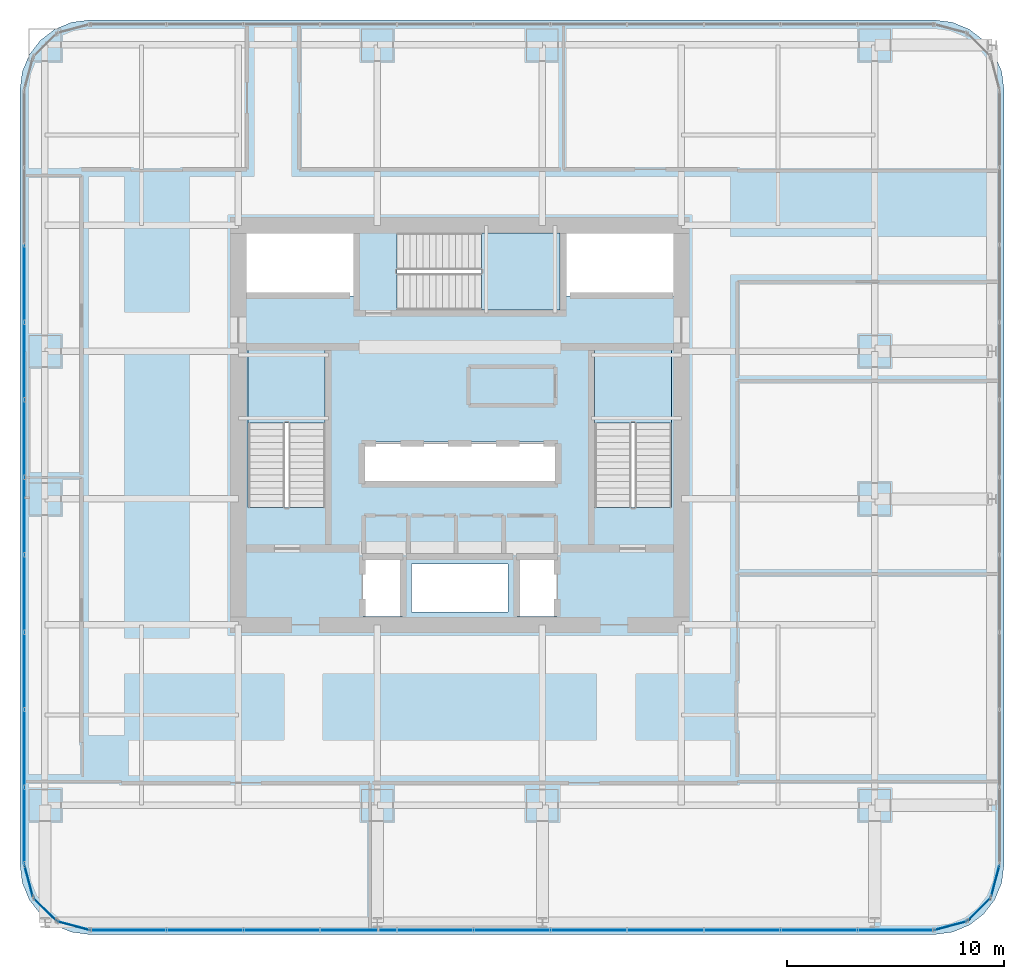
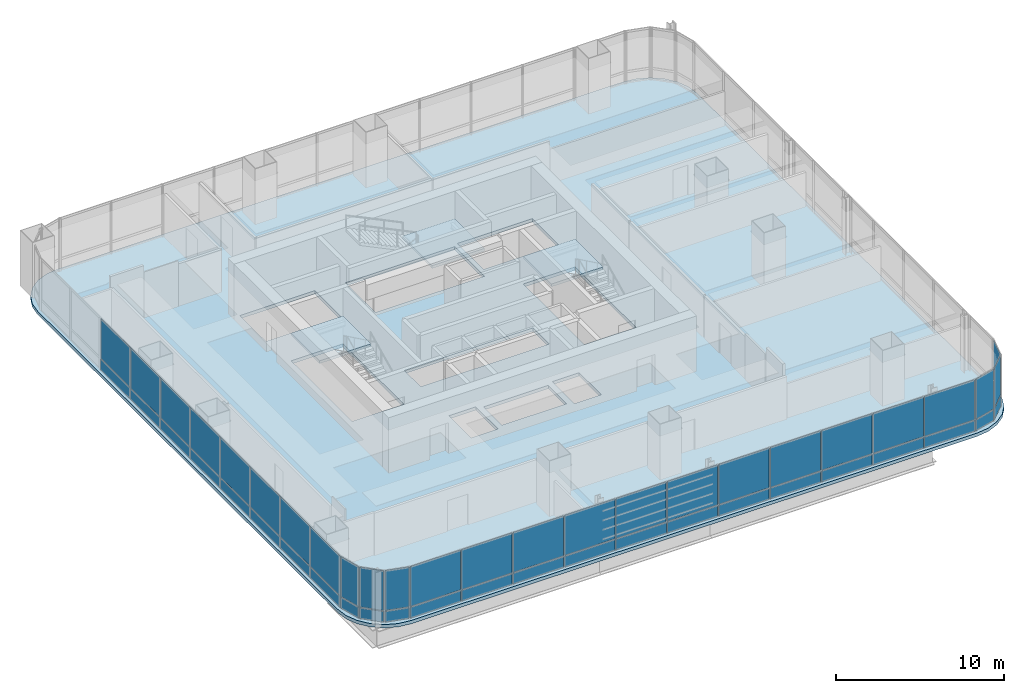
# One storey, part 25 of 35: 50 plates, 4 slabs, 11 elements without a shape of their own.
"""IFC4 building model written with IfcOpenShell, lengths in metres."""

from ifc_helpers import new_model, si_unit, direction, frame, origin, origin_2d, place, context, subcontext, project, spatial, polyline, rectangle, outline, extrude, material, layer, layer_set, type_object, element, aggregate, save


model = new_model("IFC4")

# Units and contexts
model_context = context("Model", 3, precision=1e-05, world=origin(), true_north=direction((0.0, 1.0)))
body_context = subcontext(model_context, "Body", "Model", "MODEL_VIEW")
ifc_project = project(units=[si_unit("LENGTHUNIT", "METRE"), si_unit("AREAUNIT", "SQUARE_METRE"), si_unit("VOLUMEUNIT", "CUBIC_METRE"), si_unit("PLANEANGLEUNIT", "RADIAN"), si_unit("MASSUNIT", "GRAM", prefix="KILO")], contexts=[model_context])

# Site, building, storey
site_placement = place(None, origin())
site = spatial("IfcSite", under=ifc_project, at=site_placement, CompositionType="ELEMENT")
building_placement = place(site_placement, origin())
building = spatial("IfcBuilding", under=site, at=building_placement, Name="Punatoya Terracotta Tower", CompositionType="ELEMENT")
storey_placement = place(building_placement, frame((0.0, 0.0, 64.64990234375)))
storey = spatial("IfcBuildingStorey", under=building, at=storey_placement, Name="L14", CompositionType="ELEMENT", Elevation=64.64990234375)

# Curtain wall, plates
ifc_material_1 = material(Name="Aluminium 6063-T6 + Double Low-E Glass", Category="aluminium")
curtain_wall_type = type_object("IfcCurtainWallType", Name="CW-M1", PredefinedType="NOTDEFINED", material=ifc_material_1)
curtain_wall_1_placement = place(storey_placement, origin())
curtain_wall_1 = element("IfcCurtainWall", 1, at=curtain_wall_1_placement, inside=storey, type_object=curtain_wall_type, Name="L14 Curtain Wall CW-L14-S01-1", PredefinedType="NOTDEFINED")
ifc_material_2 = material(Name="Double Low-E Clear Vision Glass", Category="glass")
ifc_layer_1 = layer(ifc_material_2, 0.028076171875)
ifc_layer_set_1 = layer_set([ifc_layer_1], Name="Double Low-E Clear Vision Glass")
plate_type_1 = type_object("IfcPlateType", Name="PLT-GLZ-28", PredefinedType="CURTAIN_PANEL", material=ifc_layer_set_1)
plate_1_placement = place(storey_placement, frame((-15.27001953125, -23.25, 0.89013671875), z_axis=(0.0, 0.0, 1.0), x_axis=(1.0, 0.0, 0.0)))
plate_1 = element("IfcPlate", 2, at=plate_1_placement, type_object=plate_type_1, Name="CW-L14-S01-1 Vision Glass Panel 1", PredefinedType="CURTAIN_PANEL", context=body_context, shape_type="SweptSolid", body=[
    extrude(rectangle(XDim=3.448974609375, YDim=0.028076171875, at=origin_2d()), origin(), (0.0, 0.0, 1.0), 2.8798828125),
])
plate_2_placement = place(storey_placement, frame((-11.73583984375, -23.25, 0.89013671875), z_axis=(0.0, 0.0, 1.0), x_axis=(1.0, 0.0, 0.0)))
plate_2 = element("IfcPlate", 3, at=plate_2_placement, type_object=plate_type_1, Name="CW-L14-S01-1 Vision Glass Panel 2", PredefinedType="CURTAIN_PANEL", context=body_context, shape_type="SweptSolid", body=[
    extrude(rectangle(XDim=3.448974609375, YDim=0.028076171875, at=origin_2d()), origin(), (0.0, 0.0, 1.0), 2.8798828125),
])
plate_3_placement = place(storey_placement, frame((-8.201904296875, -23.25, 0.89013671875), z_axis=(0.0, 0.0, 1.0), x_axis=(1.0, 0.0, 0.0)))
plate_3 = element("IfcPlate", 4, at=plate_3_placement, type_object=plate_type_1, Name="CW-L14-S01-1 Vision Glass Panel 3", PredefinedType="CURTAIN_PANEL", context=body_context, shape_type="SweptSolid", body=[
    extrude(rectangle(XDim=3.448974609375, YDim=0.028076171875, at=origin_2d()), origin(), (0.0, 0.0, 1.0), 2.8798828125),
])
plate_4_placement = place(storey_placement, frame((-4.66796875, -23.25, 0.89013671875), z_axis=(0.0, 0.0, 1.0), x_axis=(1.0, 0.0, 0.0)))
plate_4 = element("IfcPlate", 5, at=plate_4_placement, type_object=plate_type_1, Name="CW-L14-S01-1 Vision Glass Panel 4", PredefinedType="CURTAIN_PANEL", context=body_context, shape_type="SweptSolid", body=[
    extrude(rectangle(XDim=3.448974609375, YDim=0.028076171875, at=origin_2d()), origin(), (0.0, 0.0, 1.0), 2.8798828125),
])
plate_5_placement = place(storey_placement, frame((-1.134033203125, -23.25, 0.89013671875), z_axis=(0.0, 0.0, 1.0), x_axis=(1.0, 0.0, 0.0)))
plate_5 = element("IfcPlate", 6, at=plate_5_placement, type_object=plate_type_1, Name="CW-L14-S01-1 Vision Glass Panel 5", PredefinedType="CURTAIN_PANEL", context=body_context, shape_type="SweptSolid", body=[
    extrude(rectangle(XDim=3.448974609375, YDim=0.028076171875, at=origin_2d()), origin(), (0.0, 0.0, 1.0), 2.8798828125),
])
plate_6_placement = place(storey_placement, frame((2.39990234375, -23.25, 0.89013671875), z_axis=(0.0, 0.0, 1.0), x_axis=(1.0, 0.0, 0.0)))
plate_6 = element("IfcPlate", 7, at=plate_6_placement, type_object=plate_type_1, Name="CW-L14-S01-1 Vision Glass Panel 6", PredefinedType="CURTAIN_PANEL", context=body_context, shape_type="SweptSolid", body=[
    extrude(rectangle(XDim=3.448974609375, YDim=0.028076171875, at=origin_2d()), origin(), (0.0, 0.0, 1.0), 2.8798828125),
])
plate_7_placement = place(storey_placement, frame((5.93408203125, -23.25, 0.89013671875), z_axis=(0.0, 0.0, 1.0), x_axis=(1.0, 0.0, 0.0)))
plate_7 = element("IfcPlate", 8, at=plate_7_placement, type_object=plate_type_1, Name="CW-L14-S01-1 Vision Glass Panel 7", PredefinedType="CURTAIN_PANEL", context=body_context, shape_type="SweptSolid", body=[
    extrude(rectangle(XDim=3.448974609375, YDim=0.028076171875, at=origin_2d()), origin(), (0.0, 0.0, 1.0), 2.8798828125),
])
plate_8_placement = place(storey_placement, frame((9.468017578125, -23.25, 0.89013671875), z_axis=(0.0, 0.0, 1.0), x_axis=(1.0, 0.0, 0.0)))
plate_8 = element("IfcPlate", 9, at=plate_8_placement, type_object=plate_type_1, Name="CW-L14-S01-1 Vision Glass Panel 8", PredefinedType="CURTAIN_PANEL", context=body_context, shape_type="SweptSolid", body=[
    extrude(rectangle(XDim=3.448974609375, YDim=0.028076171875, at=origin_2d()), origin(), (0.0, 0.0, 1.0), 2.8798828125),
])
plate_9_placement = place(storey_placement, frame((13.001953125, -23.25, 0.89013671875), z_axis=(0.0, 0.0, 1.0), x_axis=(1.0, 0.0, 0.0)))
plate_9 = element("IfcPlate", 10, at=plate_9_placement, type_object=plate_type_1, Name="CW-L14-S01-1 Vision Glass Panel 9", PredefinedType="CURTAIN_PANEL", context=body_context, shape_type="SweptSolid", body=[
    extrude(rectangle(XDim=3.448974609375, YDim=0.028076171875, at=origin_2d()), origin(), (0.0, 0.0, 1.0), 2.8798828125),
])
plate_10_placement = place(storey_placement, frame((16.535888671875, -23.25, 0.89013671875), z_axis=(0.0, 0.0, 1.0), x_axis=(1.0, 0.0, 0.0)))
plate_10 = element("IfcPlate", 11, at=plate_10_placement, type_object=plate_type_1, Name="CW-L14-S01-1 Vision Glass Panel 10", PredefinedType="CURTAIN_PANEL", context=body_context, shape_type="SweptSolid", body=[
    extrude(rectangle(XDim=3.448974609375, YDim=0.028076171875, at=origin_2d()), origin(), (0.0, 0.0, 1.0), 2.8798828125),
])
plate_11_placement = place(storey_placement, frame((20.06982421875, -23.25, 0.89013671875), z_axis=(0.0, 0.0, 1.0), x_axis=(1.0, 0.0, 0.0)))
plate_11 = element("IfcPlate", 12, at=plate_11_placement, type_object=plate_type_1, Name="CW-L14-S01-1 Vision Glass Panel 11", PredefinedType="CURTAIN_PANEL", context=body_context, shape_type="SweptSolid", body=[
    extrude(rectangle(XDim=3.448974609375, YDim=0.028076171875, at=origin_2d()), origin(), (0.0, 0.0, 1.0), 2.8798828125),
])

# Curtain wall, plate
curtain_wall_2_placement = place(storey_placement, origin())
curtain_wall_2 = element("IfcCurtainWall", 13, at=curtain_wall_2_placement, inside=storey, type_object=curtain_wall_type, Name="L14 Curtain Wall CW-L14-CRN02", PredefinedType="NOTDEFINED")
plate_12_placement = place(storey_placement, frame((22.593017578125, -23.04833984375, 0.89013671875), z_axis=(0.0, 0.0, 1.0), x_axis=(0.966213877436, 0.257741620719, 0.0)))
plate_12 = element("IfcPlate", 14, at=plate_12_placement, type_object=plate_type_1, Name="CW-L14-CRN02 Vision Glass Panel 1", PredefinedType="CURTAIN_PANEL", context=body_context, shape_type="SweptSolid", body=[
    extrude(rectangle(XDim=1.47998046875, YDim=0.028076171875, at=origin_2d()), origin(), (0.0, 0.0, 1.0), 2.8798828125),
])

curtain_wall_3_placement = place(storey_placement, origin())
curtain_wall_3 = element("IfcCurtainWall", 15, at=curtain_wall_3_placement, inside=storey, type_object=curtain_wall_type, Name="L14 Curtain Wall CW-L14-CRN03", PredefinedType="NOTDEFINED")
plate_13_placement = place(storey_placement, frame((23.89794921875, -22.2978515625, 0.89013671875), z_axis=(0.0, 0.0, 1.0), x_axis=(0.707106781187, 0.707106781187, 0.0)))
plate_13 = element("IfcPlate", 16, at=plate_13_placement, type_object=plate_type_1, Name="CW-L14-CRN03 Vision Glass Panel 1", PredefinedType="CURTAIN_PANEL", context=body_context, shape_type="SweptSolid", body=[
    extrude(rectangle(XDim=1.467041015625, YDim=0.028076171875, at=origin_2d()), origin(), (0.0, 0.0, 1.0), 2.8798828125),
])

curtain_wall_4_placement = place(storey_placement, origin())
curtain_wall_4 = element("IfcCurtainWall", 17, at=curtain_wall_4_placement, inside=storey, type_object=curtain_wall_type, Name="L14 Curtain Wall CW-L14-CRN04", PredefinedType="NOTDEFINED")
plate_14_placement = place(storey_placement, frame((24.648193359375, -20.992919921875, 0.89013671875), z_axis=(0.0, 0.0, 1.0), x_axis=(0.257741620719, 0.966213877436, 0.0)))
plate_14 = element("IfcPlate", 18, at=plate_14_placement, type_object=plate_type_1, Name="CW-L14-CRN04 Vision Glass Panel 1", PredefinedType="CURTAIN_PANEL", context=body_context, shape_type="SweptSolid", body=[
    extrude(rectangle(XDim=1.47998046875, YDim=0.028076171875, at=origin_2d()), origin(), (0.0, 0.0, 1.0), 2.8798828125),
])

# Curtain wall, plates
curtain_wall_5_placement = place(storey_placement, origin())
curtain_wall_5 = element("IfcCurtainWall", 19, at=curtain_wall_5_placement, inside=storey, type_object=curtain_wall_type, Name="L14 Curtain Wall CW-L14-W13-1", PredefinedType="NOTDEFINED")
plate_15_placement = place(storey_placement, frame((-20.050048828125, 6.518310546875, 0.89013671875), z_axis=(0.0, 0.0, 1.0), x_axis=(0.0, -1.0, 0.0)))
plate_15 = element("IfcPlate", 20, at=plate_15_placement, type_object=plate_type_1, Name="CW-L14-W13-1 Vision Glass Panel 3", PredefinedType="CURTAIN_PANEL", context=body_context, shape_type="SweptSolid", body=[
    extrude(rectangle(XDim=3.482421875, YDim=0.028076171875, at=origin_2d()), origin(), (0.0, 0.0, 1.0), 2.8798828125),
])
plate_16_placement = place(storey_placement, frame((-20.050048828125, 2.951171875, 0.89013671875), z_axis=(0.0, 0.0, 1.0), x_axis=(0.0, -1.0, 0.0)))
plate_16 = element("IfcPlate", 21, at=plate_16_placement, type_object=plate_type_1, Name="CW-L14-W13-1 Vision Glass Panel 4", PredefinedType="CURTAIN_PANEL", context=body_context, shape_type="SweptSolid", body=[
    extrude(rectangle(XDim=3.482421875, YDim=0.028076171875, at=origin_2d()), origin(), (0.0, 0.0, 1.0), 2.8798828125),
])
plate_17_placement = place(storey_placement, frame((-20.050048828125, -0.6162109375, 0.89013671875), z_axis=(0.0, 0.0, 1.0), x_axis=(0.0, -1.0, 0.0)))
plate_17 = element("IfcPlate", 22, at=plate_17_placement, type_object=plate_type_1, Name="CW-L14-W13-1 Vision Glass Panel 5", PredefinedType="CURTAIN_PANEL", context=body_context, shape_type="SweptSolid", body=[
    extrude(rectangle(XDim=3.482421875, YDim=0.028076171875, at=origin_2d()), origin(), (0.0, 0.0, 1.0), 2.8798828125),
])
plate_18_placement = place(storey_placement, frame((-20.050048828125, -4.18359375, 0.89013671875), z_axis=(0.0, 0.0, 1.0), x_axis=(0.0, -1.0, 0.0)))
plate_18 = element("IfcPlate", 23, at=plate_18_placement, type_object=plate_type_1, Name="CW-L14-W13-1 Vision Glass Panel 6", PredefinedType="CURTAIN_PANEL", context=body_context, shape_type="SweptSolid", body=[
    extrude(rectangle(XDim=3.482421875, YDim=0.028076171875, at=origin_2d()), origin(), (0.0, 0.0, 1.0), 2.8798828125),
])
plate_19_placement = place(storey_placement, frame((-20.050048828125, -7.751220703125, 0.89013671875), z_axis=(0.0, 0.0, 1.0), x_axis=(0.0, -1.0, 0.0)))
plate_19 = element("IfcPlate", 24, at=plate_19_placement, type_object=plate_type_1, Name="CW-L14-W13-1 Vision Glass Panel 7", PredefinedType="CURTAIN_PANEL", context=body_context, shape_type="SweptSolid", body=[
    extrude(rectangle(XDim=3.482421875, YDim=0.028076171875, at=origin_2d()), origin(), (0.0, 0.0, 1.0), 2.8798828125),
])
plate_20_placement = place(storey_placement, frame((-20.050048828125, -11.318359375, 0.89013671875), z_axis=(0.0, 0.0, 1.0), x_axis=(0.0, -1.0, 0.0)))
plate_20 = element("IfcPlate", 25, at=plate_20_placement, type_object=plate_type_1, Name="CW-L14-W13-1 Vision Glass Panel 8", PredefinedType="CURTAIN_PANEL", context=body_context, shape_type="SweptSolid", body=[
    extrude(rectangle(XDim=3.482421875, YDim=0.028076171875, at=origin_2d()), origin(), (0.0, 0.0, 1.0), 2.8798828125),
])
plate_21_placement = place(storey_placement, frame((-20.050048828125, -14.8857421875, 0.89013671875), z_axis=(0.0, 0.0, 1.0), x_axis=(0.0, -1.0, 0.0)))
plate_21 = element("IfcPlate", 26, at=plate_21_placement, type_object=plate_type_1, Name="CW-L14-W13-1 Vision Glass Panel 9", PredefinedType="CURTAIN_PANEL", context=body_context, shape_type="SweptSolid", body=[
    extrude(rectangle(XDim=3.482421875, YDim=0.028076171875, at=origin_2d()), origin(), (0.0, 0.0, 1.0), 2.8798828125),
])
plate_22_placement = place(storey_placement, frame((-20.050048828125, -18.453125, 0.89013671875), z_axis=(0.0, 0.0, 1.0), x_axis=(0.0, -1.0, 0.0)))
plate_22 = element("IfcPlate", 27, at=plate_22_placement, type_object=plate_type_1, Name="CW-L14-W13-1 Vision Glass Panel 10", PredefinedType="CURTAIN_PANEL", context=body_context, shape_type="SweptSolid", body=[
    extrude(rectangle(XDim=3.482421875, YDim=0.028076171875, at=origin_2d()), origin(), (0.0, 0.0, 1.0), 2.8798828125),
])

# Curtain wall, plate
curtain_wall_6_placement = place(storey_placement, origin())
curtain_wall_6 = element("IfcCurtainWall", 28, at=curtain_wall_6_placement, inside=storey, type_object=curtain_wall_type, Name="L14 Curtain Wall CW-L14-CRN14", PredefinedType="NOTDEFINED")
plate_23_placement = place(storey_placement, frame((-19.848388671875, -20.992919921875, 0.89013671875), z_axis=(0.0, 0.0, 1.0), x_axis=(0.257741620719, -0.966213877436, 0.0)))
plate_23 = element("IfcPlate", 29, at=plate_23_placement, type_object=plate_type_1, Name="CW-L14-CRN14 Vision Glass Panel 1", PredefinedType="CURTAIN_PANEL", context=body_context, shape_type="SweptSolid", body=[
    extrude(rectangle(XDim=1.47998046875, YDim=0.028076171875, at=origin_2d()), origin(), (0.0, 0.0, 1.0), 2.8798828125),
])

curtain_wall_7_placement = place(storey_placement, origin())
curtain_wall_7 = element("IfcCurtainWall", 30, at=curtain_wall_7_placement, inside=storey, type_object=curtain_wall_type, Name="L14 Curtain Wall CW-L14-CRN15", PredefinedType="NOTDEFINED")
plate_24_placement = place(storey_placement, frame((-19.097900390625, -22.2978515625, 0.89013671875), z_axis=(0.0, 0.0, 1.0), x_axis=(0.707106781187, -0.707106781187, 0.0)))
plate_24 = element("IfcPlate", 31, at=plate_24_placement, type_object=plate_type_1, Name="CW-L14-CRN15 Vision Glass Panel 1", PredefinedType="CURTAIN_PANEL", context=body_context, shape_type="SweptSolid", body=[
    extrude(rectangle(XDim=1.467041015625, YDim=0.028076171875, at=origin_2d()), origin(), (0.0, 0.0, 1.0), 2.8798828125),
])

curtain_wall_8_placement = place(storey_placement, origin())
curtain_wall_8 = element("IfcCurtainWall", 32, at=curtain_wall_8_placement, inside=storey, type_object=curtain_wall_type, Name="L14 Curtain Wall CW-L14-CRN16", PredefinedType="NOTDEFINED")
plate_25_placement = place(storey_placement, frame((-17.79296875, -23.04833984375, 0.89013671875), z_axis=(0.0, 0.0, 1.0), x_axis=(0.966213877436, -0.257741620719, 0.0)))
plate_25 = element("IfcPlate", 33, at=plate_25_placement, type_object=plate_type_1, Name="CW-L14-CRN16 Vision Glass Panel 1", PredefinedType="CURTAIN_PANEL", context=body_context, shape_type="SweptSolid", body=[
    extrude(rectangle(XDim=1.47998046875, YDim=0.028076171875, at=origin_2d()), origin(), (0.0, 0.0, 1.0), 2.8798828125),
])

# Plate
ifc_material_3 = material(Name="Insulated Terracotta-Backed Spandrel Panel", Category="masonry")
ifc_layer_2 = layer(ifc_material_3, 0.044921875)
ifc_layer_set_2 = layer_set([ifc_layer_2], Name="Insulated Terracotta-Backed Spandrel Panel")
plate_type_2 = type_object("IfcPlateType", Name="PLT-SPN-45", PredefinedType="CURTAIN_PANEL", material=ifc_layer_set_2)
plate_26_placement = place(storey_placement, frame((-15.27001953125, -23.25, 0.0400390625), z_axis=(0.0, 0.0, 1.0), x_axis=(1.0, 0.0, 0.0)))
plate_26 = element("IfcPlate", 34, at=plate_26_placement, type_object=plate_type_2, Name="CW-L14-S01-1 Terracotta Spandrel Panel 1", PredefinedType="CURTAIN_PANEL", context=body_context, shape_type="SweptSolid", body=[
    extrude(rectangle(XDim=3.448974609375, YDim=0.044921875, at=origin_2d()), origin(), (0.0, 0.0, 1.0), 0.77490234375),
])

plate_27_placement = place(storey_placement, frame((-11.73583984375, -23.25, 0.0400390625), z_axis=(0.0, 0.0, 1.0), x_axis=(1.0, 0.0, 0.0)))
plate_27 = element("IfcPlate", 35, at=plate_27_placement, type_object=plate_type_2, Name="CW-L14-S01-1 Terracotta Spandrel Panel 2", PredefinedType="CURTAIN_PANEL", context=body_context, shape_type="SweptSolid", body=[
    extrude(rectangle(XDim=3.448974609375, YDim=0.044921875, at=origin_2d()), origin(), (0.0, 0.0, 1.0), 0.77490234375),
])

plate_28_placement = place(storey_placement, frame((-8.201904296875, -23.25, 0.0400390625), z_axis=(0.0, 0.0, 1.0), x_axis=(1.0, 0.0, 0.0)))
plate_28 = element("IfcPlate", 36, at=plate_28_placement, type_object=plate_type_2, Name="CW-L14-S01-1 Terracotta Spandrel Panel 3", PredefinedType="CURTAIN_PANEL", context=body_context, shape_type="SweptSolid", body=[
    extrude(rectangle(XDim=3.448974609375, YDim=0.044921875, at=origin_2d()), origin(), (0.0, 0.0, 1.0), 0.77490234375),
])

plate_29_placement = place(storey_placement, frame((-4.66796875, -23.25, 0.0400390625), z_axis=(0.0, 0.0, 1.0), x_axis=(1.0, 0.0, 0.0)))
plate_29 = element("IfcPlate", 37, at=plate_29_placement, type_object=plate_type_2, Name="CW-L14-S01-1 Terracotta Spandrel Panel 4", PredefinedType="CURTAIN_PANEL", context=body_context, shape_type="SweptSolid", body=[
    extrude(rectangle(XDim=3.448974609375, YDim=0.044921875, at=origin_2d()), origin(), (0.0, 0.0, 1.0), 0.77490234375),
])

plate_30_placement = place(storey_placement, frame((-1.134033203125, -23.25, 0.0400390625), z_axis=(0.0, 0.0, 1.0), x_axis=(1.0, 0.0, 0.0)))
plate_30 = element("IfcPlate", 38, at=plate_30_placement, type_object=plate_type_2, Name="CW-L14-S01-1 Terracotta Spandrel Panel 5", PredefinedType="CURTAIN_PANEL", context=body_context, shape_type="SweptSolid", body=[
    extrude(rectangle(XDim=3.448974609375, YDim=0.044921875, at=origin_2d()), origin(), (0.0, 0.0, 1.0), 0.77490234375),
])

plate_31_placement = place(storey_placement, frame((2.39990234375, -23.25, 0.0400390625), z_axis=(0.0, 0.0, 1.0), x_axis=(1.0, 0.0, 0.0)))
plate_31 = element("IfcPlate", 39, at=plate_31_placement, type_object=plate_type_2, Name="CW-L14-S01-1 Terracotta Spandrel Panel 6", PredefinedType="CURTAIN_PANEL", context=body_context, shape_type="SweptSolid", body=[
    extrude(rectangle(XDim=3.448974609375, YDim=0.044921875, at=origin_2d()), origin(), (0.0, 0.0, 1.0), 0.77490234375),
])

plate_32_placement = place(storey_placement, frame((5.93408203125, -23.25, 0.0400390625), z_axis=(0.0, 0.0, 1.0), x_axis=(1.0, 0.0, 0.0)))
plate_32 = element("IfcPlate", 40, at=plate_32_placement, type_object=plate_type_2, Name="CW-L14-S01-1 Terracotta Spandrel Panel 7", PredefinedType="CURTAIN_PANEL", context=body_context, shape_type="SweptSolid", body=[
    extrude(rectangle(XDim=3.448974609375, YDim=0.044921875, at=origin_2d()), origin(), (0.0, 0.0, 1.0), 0.77490234375),
])

plate_33_placement = place(storey_placement, frame((9.468017578125, -23.25, 0.0400390625), z_axis=(0.0, 0.0, 1.0), x_axis=(1.0, 0.0, 0.0)))
plate_33 = element("IfcPlate", 41, at=plate_33_placement, type_object=plate_type_2, Name="CW-L14-S01-1 Terracotta Spandrel Panel 8", PredefinedType="CURTAIN_PANEL", context=body_context, shape_type="SweptSolid", body=[
    extrude(rectangle(XDim=3.448974609375, YDim=0.044921875, at=origin_2d()), origin(), (0.0, 0.0, 1.0), 0.77490234375),
])

plate_34_placement = place(storey_placement, frame((13.001953125, -23.25, 0.0400390625), z_axis=(0.0, 0.0, 1.0), x_axis=(1.0, 0.0, 0.0)))
plate_34 = element("IfcPlate", 42, at=plate_34_placement, type_object=plate_type_2, Name="CW-L14-S01-1 Terracotta Spandrel Panel 9", PredefinedType="CURTAIN_PANEL", context=body_context, shape_type="SweptSolid", body=[
    extrude(rectangle(XDim=3.448974609375, YDim=0.044921875, at=origin_2d()), origin(), (0.0, 0.0, 1.0), 0.77490234375),
])

plate_35_placement = place(storey_placement, frame((16.535888671875, -23.25, 0.0400390625), z_axis=(0.0, 0.0, 1.0), x_axis=(1.0, 0.0, 0.0)))
plate_35 = element("IfcPlate", 43, at=plate_35_placement, type_object=plate_type_2, Name="CW-L14-S01-1 Terracotta Spandrel Panel 10", PredefinedType="CURTAIN_PANEL", context=body_context, shape_type="SweptSolid", body=[
    extrude(rectangle(XDim=3.448974609375, YDim=0.044921875, at=origin_2d()), origin(), (0.0, 0.0, 1.0), 0.77490234375),
])

plate_36_placement = place(storey_placement, frame((20.06982421875, -23.25, 0.0400390625), z_axis=(0.0, 0.0, 1.0), x_axis=(1.0, 0.0, 0.0)))
plate_36 = element("IfcPlate", 44, at=plate_36_placement, type_object=plate_type_2, Name="CW-L14-S01-1 Terracotta Spandrel Panel 11", PredefinedType="CURTAIN_PANEL", context=body_context, shape_type="SweptSolid", body=[
    extrude(rectangle(XDim=3.448974609375, YDim=0.044921875, at=origin_2d()), origin(), (0.0, 0.0, 1.0), 0.77490234375),
])

aggregate(curtain_wall_1, [plate_26, plate_1, plate_27, plate_2, plate_28, plate_3, plate_29, plate_4, plate_30, plate_5, plate_31, plate_6, plate_32, plate_7, plate_33, plate_8, plate_34, plate_9, plate_35, plate_10, plate_36, plate_11])

plate_37_placement = place(storey_placement, frame((22.593017578125, -23.04833984375, 0.0400390625), z_axis=(0.0, 0.0, 1.0), x_axis=(0.966213877436, 0.257741620719, 0.0)))
plate_37 = element("IfcPlate", 45, at=plate_37_placement, type_object=plate_type_2, Name="CW-L14-CRN02 Terracotta Spandrel Panel 1", PredefinedType="CURTAIN_PANEL", context=body_context, shape_type="SweptSolid", body=[
    extrude(rectangle(XDim=1.47998046875, YDim=0.044921875, at=origin_2d()), origin(), (0.0, 0.0, 1.0), 0.77490234375),
])

aggregate(curtain_wall_2, [plate_37, plate_12])

plate_38_placement = place(storey_placement, frame((23.89794921875, -22.2978515625, 0.0400390625), z_axis=(0.0, 0.0, 1.0), x_axis=(0.707106781187, 0.707106781187, 0.0)))
plate_38 = element("IfcPlate", 46, at=plate_38_placement, type_object=plate_type_2, Name="CW-L14-CRN03 Terracotta Spandrel Panel 1", PredefinedType="CURTAIN_PANEL", context=body_context, shape_type="SweptSolid", body=[
    extrude(rectangle(XDim=1.467041015625, YDim=0.044921875, at=origin_2d()), origin(), (0.0, 0.0, 1.0), 0.77490234375),
])

aggregate(curtain_wall_3, [plate_38, plate_13])

plate_39_placement = place(storey_placement, frame((24.648193359375, -20.992919921875, 0.0400390625), z_axis=(0.0, 0.0, 1.0), x_axis=(0.257741620719, 0.966213877436, 0.0)))
plate_39 = element("IfcPlate", 47, at=plate_39_placement, type_object=plate_type_2, Name="CW-L14-CRN04 Terracotta Spandrel Panel 1", PredefinedType="CURTAIN_PANEL", context=body_context, shape_type="SweptSolid", body=[
    extrude(rectangle(XDim=1.47998046875, YDim=0.044921875, at=origin_2d()), origin(), (0.0, 0.0, 1.0), 0.77490234375),
])

aggregate(curtain_wall_4, [plate_39, plate_14])

plate_40_placement = place(storey_placement, frame((-20.050048828125, 6.518310546875, 0.0400390625), z_axis=(0.0, 0.0, 1.0), x_axis=(0.0, -1.0, 0.0)))
plate_40 = element("IfcPlate", 48, at=plate_40_placement, type_object=plate_type_2, Name="CW-L14-W13-1 Terracotta Spandrel Panel 3", PredefinedType="CURTAIN_PANEL", context=body_context, shape_type="SweptSolid", body=[
    extrude(rectangle(XDim=3.482421875, YDim=0.044921875, at=origin_2d()), origin(), (0.0, 0.0, 1.0), 0.77490234375),
])

plate_41_placement = place(storey_placement, frame((-20.050048828125, 2.951171875, 0.0400390625), z_axis=(0.0, 0.0, 1.0), x_axis=(0.0, -1.0, 0.0)))
plate_41 = element("IfcPlate", 49, at=plate_41_placement, type_object=plate_type_2, Name="CW-L14-W13-1 Terracotta Spandrel Panel 4", PredefinedType="CURTAIN_PANEL", context=body_context, shape_type="SweptSolid", body=[
    extrude(rectangle(XDim=3.482421875, YDim=0.044921875, at=origin_2d()), origin(), (0.0, 0.0, 1.0), 0.77490234375),
])

plate_42_placement = place(storey_placement, frame((-20.050048828125, -0.6162109375, 0.0400390625), z_axis=(0.0, 0.0, 1.0), x_axis=(0.0, -1.0, 0.0)))
plate_42 = element("IfcPlate", 50, at=plate_42_placement, type_object=plate_type_2, Name="CW-L14-W13-1 Terracotta Spandrel Panel 5", PredefinedType="CURTAIN_PANEL", context=body_context, shape_type="SweptSolid", body=[
    extrude(rectangle(XDim=3.482421875, YDim=0.044921875, at=origin_2d()), origin(), (0.0, 0.0, 1.0), 0.77490234375),
])

plate_43_placement = place(storey_placement, frame((-20.050048828125, -4.18359375, 0.0400390625), z_axis=(0.0, 0.0, 1.0), x_axis=(0.0, -1.0, 0.0)))
plate_43 = element("IfcPlate", 51, at=plate_43_placement, type_object=plate_type_2, Name="CW-L14-W13-1 Terracotta Spandrel Panel 6", PredefinedType="CURTAIN_PANEL", context=body_context, shape_type="SweptSolid", body=[
    extrude(rectangle(XDim=3.482421875, YDim=0.044921875, at=origin_2d()), origin(), (0.0, 0.0, 1.0), 0.77490234375),
])

plate_44_placement = place(storey_placement, frame((-20.050048828125, -7.751220703125, 0.0400390625), z_axis=(0.0, 0.0, 1.0), x_axis=(0.0, -1.0, 0.0)))
plate_44 = element("IfcPlate", 52, at=plate_44_placement, type_object=plate_type_2, Name="CW-L14-W13-1 Terracotta Spandrel Panel 7", PredefinedType="CURTAIN_PANEL", context=body_context, shape_type="SweptSolid", body=[
    extrude(rectangle(XDim=3.482421875, YDim=0.044921875, at=origin_2d()), origin(), (0.0, 0.0, 1.0), 0.77490234375),
])

plate_45_placement = place(storey_placement, frame((-20.050048828125, -11.318359375, 0.0400390625), z_axis=(0.0, 0.0, 1.0), x_axis=(0.0, -1.0, 0.0)))
plate_45 = element("IfcPlate", 53, at=plate_45_placement, type_object=plate_type_2, Name="CW-L14-W13-1 Terracotta Spandrel Panel 8", PredefinedType="CURTAIN_PANEL", context=body_context, shape_type="SweptSolid", body=[
    extrude(rectangle(XDim=3.482421875, YDim=0.044921875, at=origin_2d()), origin(), (0.0, 0.0, 1.0), 0.77490234375),
])

plate_46_placement = place(storey_placement, frame((-20.050048828125, -14.8857421875, 0.0400390625), z_axis=(0.0, 0.0, 1.0), x_axis=(0.0, -1.0, 0.0)))
plate_46 = element("IfcPlate", 54, at=plate_46_placement, type_object=plate_type_2, Name="CW-L14-W13-1 Terracotta Spandrel Panel 9", PredefinedType="CURTAIN_PANEL", context=body_context, shape_type="SweptSolid", body=[
    extrude(rectangle(XDim=3.482421875, YDim=0.044921875, at=origin_2d()), origin(), (0.0, 0.0, 1.0), 0.77490234375),
])

plate_47_placement = place(storey_placement, frame((-20.050048828125, -18.453125, 0.0400390625), z_axis=(0.0, 0.0, 1.0), x_axis=(0.0, -1.0, 0.0)))
plate_47 = element("IfcPlate", 55, at=plate_47_placement, type_object=plate_type_2, Name="CW-L14-W13-1 Terracotta Spandrel Panel 10", PredefinedType="CURTAIN_PANEL", context=body_context, shape_type="SweptSolid", body=[
    extrude(rectangle(XDim=3.482421875, YDim=0.044921875, at=origin_2d()), origin(), (0.0, 0.0, 1.0), 0.77490234375),
])

aggregate(curtain_wall_5, [plate_40, plate_15, plate_41, plate_16, plate_42, plate_17, plate_43, plate_18, plate_44, plate_19, plate_45, plate_20, plate_46, plate_21, plate_47, plate_22])

plate_48_placement = place(storey_placement, frame((-19.848388671875, -20.992919921875, 0.0400390625), z_axis=(0.0, 0.0, 1.0), x_axis=(0.257741620719, -0.966213877436, 0.0)))
plate_48 = element("IfcPlate", 56, at=plate_48_placement, type_object=plate_type_2, Name="CW-L14-CRN14 Terracotta Spandrel Panel 1", PredefinedType="CURTAIN_PANEL", context=body_context, shape_type="SweptSolid", body=[
    extrude(rectangle(XDim=1.47998046875, YDim=0.044921875, at=origin_2d()), origin(), (0.0, 0.0, 1.0), 0.77490234375),
])

aggregate(curtain_wall_6, [plate_48, plate_23])

plate_49_placement = place(storey_placement, frame((-19.097900390625, -22.2978515625, 0.0400390625), z_axis=(0.0, 0.0, 1.0), x_axis=(0.707106781187, -0.707106781187, 0.0)))
plate_49 = element("IfcPlate", 57, at=plate_49_placement, type_object=plate_type_2, Name="CW-L14-CRN15 Terracotta Spandrel Panel 1", PredefinedType="CURTAIN_PANEL", context=body_context, shape_type="SweptSolid", body=[
    extrude(rectangle(XDim=1.467041015625, YDim=0.044921875, at=origin_2d()), origin(), (0.0, 0.0, 1.0), 0.77490234375),
])

aggregate(curtain_wall_7, [plate_49, plate_24])

plate_50_placement = place(storey_placement, frame((-17.79296875, -23.04833984375, 0.0400390625), z_axis=(0.0, 0.0, 1.0), x_axis=(0.966213877436, -0.257741620719, 0.0)))
plate_50 = element("IfcPlate", 58, at=plate_50_placement, type_object=plate_type_2, Name="CW-L14-CRN16 Terracotta Spandrel Panel 1", PredefinedType="CURTAIN_PANEL", context=body_context, shape_type="SweptSolid", body=[
    extrude(rectangle(XDim=1.47998046875, YDim=0.044921875, at=origin_2d()), origin(), (0.0, 0.0, 1.0), 0.77490234375),
])

aggregate(curtain_wall_8, [plate_50, plate_25])

# Stair, slab
ifc_material_4 = material(Name="Concrete C40/50", Category="concrete")
stair_type_1 = type_object("IfcStairType", Name="STR-TER-1450", PredefinedType="HALF_TURN_STAIR", material=ifc_material_4)
stair_1_placement = place(storey_placement, origin())
stair_1 = element("IfcStair", 59, at=stair_1_placement, inside=storey, type_object=stair_type_1, Name="L14 Protected Core Exit Stair ST-3", PredefinedType="HALF_TURN_STAIR")
ifc_layer_3 = layer(ifc_material_4, 0.1650390625)
ifc_layer_set_3 = layer_set([ifc_layer_3], Name="Concrete C40/50")
slab_type_1 = type_object("IfcSlabType", Name="SLB-LND-165", PredefinedType="LANDING", material=ifc_layer_set_3)
slab_1_placement = place(storey_placement, frame((0.0, 0.0, 1.8251953125)))
slab_1 = element("IfcSlab", 60, at=slab_1_placement, type_object=slab_type_1, Name="ST-3 landing 1", PredefinedType="LANDING", context=body_context, shape_type="SweptSolid", body=[
    extrude(outline(polyline([(1.0, 5.300048828125), (4.60009765625, 5.300048828125), (4.60009765625, 8.85009765625), (1.0, 8.85009765625), (1.0, 5.300048828125)])), origin(), (0.0, 0.0, 1.0), 0.199951171875),
])
aggregate(stair_1, [slab_1])

stair_type_2 = type_object("IfcStairType", Name="STR-CORE-1550", PredefinedType="HALF_TURN_STAIR", material=ifc_material_4)
stair_2_placement = place(storey_placement, origin())
stair_2 = element("IfcStair", 61, at=stair_2_placement, inside=storey, type_object=stair_type_2, Name="L14 Protected Core Exit Stair ST-1", PredefinedType="HALF_TURN_STAIR")
ifc_layer_4 = layer(ifc_material_4, 0.179931640625)
ifc_layer_set_4 = layer_set([ifc_layer_4], Name="Concrete C40/50")
slab_type_2 = type_object("IfcSlabType", Name="SLB-LND-180", PredefinedType="LANDING", material=ifc_layer_set_4)
slab_2_placement = place(storey_placement, frame((0.0, 0.0, 1.8251953125)))
slab_2 = element("IfcSlab", 62, at=slab_2_placement, type_object=slab_type_2, Name="ST-1 landing 1", PredefinedType="LANDING", context=body_context, shape_type="SweptSolid", body=[
    extrude(outline(polyline([(-6.199951171875, 0.10009765625), (-6.199951171875, 3.449951171875), (-9.75, 3.449951171875), (-9.75, 0.10009765625), (-6.199951171875, 0.10009765625)])), origin(), (0.0, 0.0, 1.0), 0.199951171875),
])
aggregate(stair_2, [slab_2])

stair_type_3 = type_object("IfcStairType", Name="STR-LOB-1650", PredefinedType="HALF_TURN_STAIR", material=ifc_material_4)
stair_3_placement = place(storey_placement, origin())
stair_3 = element("IfcStair", 63, at=stair_3_placement, inside=storey, type_object=stair_type_3, Name="L14 Protected Core Exit Stair ST-2", PredefinedType="HALF_TURN_STAIR")
slab_3_placement = place(storey_placement, frame((0.0, 0.0, 1.8251953125)))
slab_3 = element("IfcSlab", 64, at=slab_3_placement, type_object=slab_type_2, Name="ST-2 landing 1", PredefinedType="LANDING", context=body_context, shape_type="SweptSolid", body=[
    extrude(outline(polyline([(9.75, 0.10009765625), (9.75, 3.449951171875), (6.199951171875, 3.449951171875), (6.199951171875, 0.10009765625), (9.75, 0.10009765625)])), origin(), (0.0, 0.0, 1.0), 0.199951171875),
])
aggregate(stair_3, [slab_3])

# Slab
ifc_layer_5 = layer(ifc_material_4, 0.239990234375)
ifc_layer_set_5 = layer_set([ifc_layer_5], Name="Concrete C40/50")
slab_type_3 = type_object("IfcSlabType", Name="SLB-OFF-240", PredefinedType="FLOOR", material=ifc_layer_set_5)
slab_4_placement = place(storey_placement, frame((0.0, 0.0, -0.239990234375)))
element("IfcSlab", 65, at=slab_4_placement, inside=storey, type_object=slab_type_3, Name="L14 Structural Floor Slab", PredefinedType="FLOOR", context=body_context, shape_type="SweptSolid", body=[
    extrude(outline(polyline([(-17.050048828125, -23.449951171875), (-17.878173828125, -23.341064453125), (-18.64990234375, -23.021240234375), (-19.312744140625, -22.5126953125), (-19.8212890625, -21.85009765625), (-20.14111328125, -21.078125), (-20.25, -20.25), (-20.25, 15.449951171875), (-20.14111328125, 16.2783203125), (-19.8212890625, 17.050048828125), (-19.312744140625, 17.712646484375), (-18.64990234375, 18.22119140625), (-17.878173828125, 18.541015625), (-17.050048828125, 18.64990234375), (21.85009765625, 18.64990234375), (22.67822265625, 18.541015625), (23.449951171875, 18.22119140625), (24.11279296875, 17.712646484375), (24.621337890625, 17.050048828125), (24.94091796875, 16.2783203125), (25.050048828125, 15.449951171875), (25.050048828125, -20.25), (24.94091796875, -21.078125), (24.621337890625, -21.85009765625), (24.11279296875, -22.5126953125), (23.449951171875, -23.021240234375), (22.67822265625, -23.341064453125), (21.85009765625, -23.449951171875), (-17.050048828125, -23.449951171875)]), holes=[polyline([(-2.6298828125, -6.179931640625), (-4.469970703125, -6.179931640625), (-4.469970703125, -8.820068359375), (-2.6298828125, -8.820068359375), (-2.6298828125, -6.179931640625)]), polyline([(0.02001953125, -8.594970703125), (2.219970703125, -8.594970703125), (2.219970703125, -6.405029296875), (0.02001953125, -6.405029296875), (-0.02001953125, -6.405029296875), (-2.219970703125, -6.405029296875), (-2.219970703125, -8.594970703125), (-0.02001953125, -8.594970703125), (0.02001953125, -8.594970703125)]), polyline([(-2.219970703125, -2.719970703125), (-2.179931640625, -2.719970703125), (-0.02001953125, -2.719970703125), (0.02001953125, -2.719970703125), (2.179931640625, -2.719970703125), (2.219970703125, -2.719970703125), (4.419921875, -2.719970703125), (4.419921875, -0.780029296875), (2.219970703125, -0.780029296875), (2.179931640625, -0.780029296875), (0.02001953125, -0.780029296875), (-0.02001953125, -0.780029296875), (-2.179931640625, -0.780029296875), (-2.219970703125, -0.780029296875), (-4.419921875, -0.780029296875), (-4.419921875, -2.719970703125), (-2.219970703125, -2.719970703125)]), polyline([(-6.199951171875, 3.449951171875), (-9.75, 3.449951171875), (-9.75, -3.79931640625), (-6.199951171875, -3.79931640625), (-6.199951171875, 3.449951171875)]), polyline([(4.60009765625, 5.300048828125), (4.60009765625, 8.85009765625), (-2.899169921875, 8.85009765625), (-2.899169921875, 5.300048828125), (4.60009765625, 5.300048828125)]), polyline([(-4.89990234375, 9.050048828125), (-10.050048828125, 9.050048828125), (-10.050048828125, 5.949951171875), (-4.89990234375, 5.949951171875), (-4.89990234375, 9.050048828125)]), polyline([(4.469970703125, -8.820068359375), (4.469970703125, -6.179931640625), (2.6298828125, -6.179931640625), (2.6298828125, -8.820068359375), (4.469970703125, -8.820068359375)]), polyline([(9.75, 3.449951171875), (6.199951171875, 3.449951171875), (6.199951171875, -3.79931640625), (9.75, -3.79931640625), (9.75, 3.449951171875)]), polyline([(10.050048828125, 5.949951171875), (10.050048828125, 9.050048828125), (4.89990234375, 9.050048828125), (4.89990234375, 5.949951171875), (10.050048828125, 5.949951171875)])]), origin(), (0.0, 0.0, 1.0), 0.239990234375),
])

save(model, "model.ifc")
